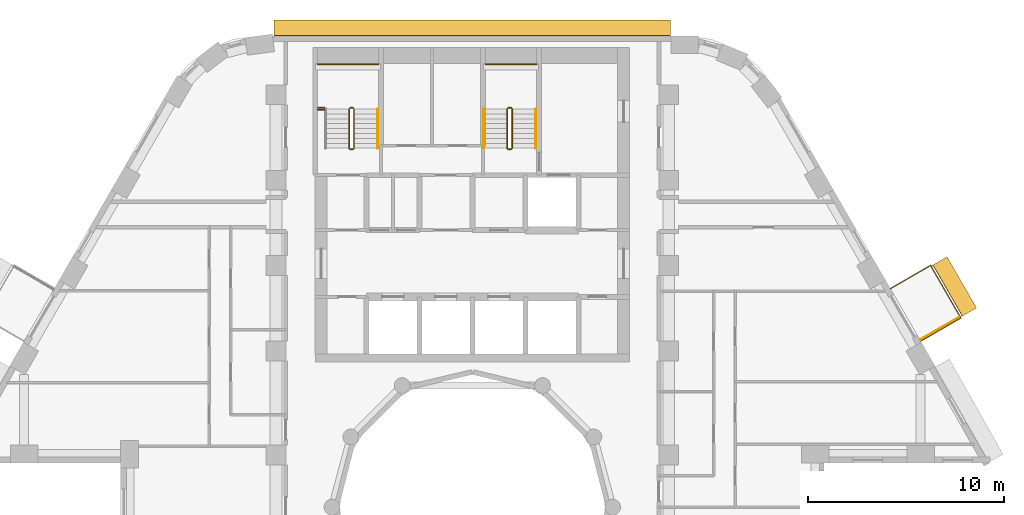
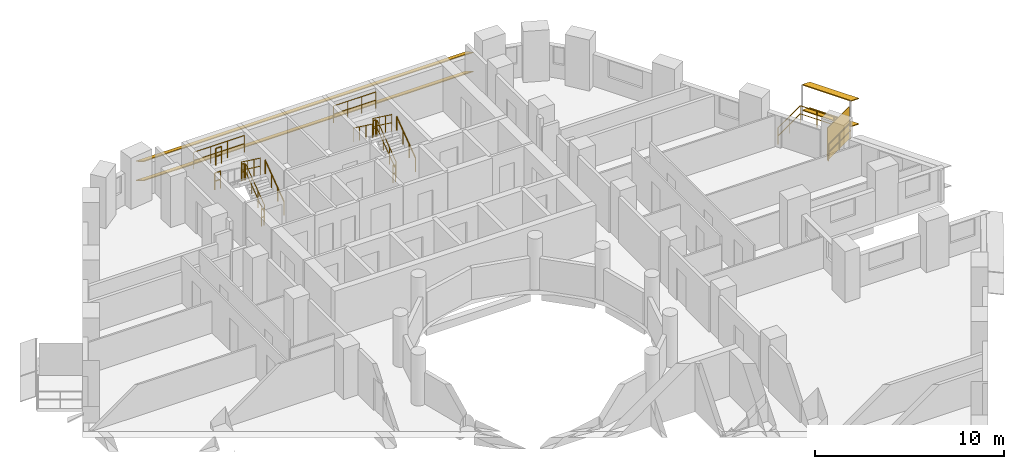
# One storey, part 14 of 14: 16 railings, 5 shading devices.
"""IFC4 building model written with IfcOpenShell, lengths in metres."""

from ifc_helpers import new_model, si_unit, direction, frame, origin, origin_2d, place, context, subcontext, project, spatial, rectangle, circle, extrude, material, layer, layer_set, material_profile, profile_set, type_object, element, save


model = new_model("IFC4")

# Units and contexts
model_context = context("Model", 3, precision=1e-05, world=origin(), true_north=direction((0.0, 1.0)))
body_context = subcontext(model_context, "Body", "Model", "MODEL_VIEW")
ifc_project = project(units=[si_unit("LENGTHUNIT", "METRE"), si_unit("AREAUNIT", "SQUARE_METRE"), si_unit("VOLUMEUNIT", "CUBIC_METRE"), si_unit("PLANEANGLEUNIT", "RADIAN"), si_unit("MASSUNIT", "GRAM", prefix="KILO")], contexts=[model_context])

# Site, building, storey
site_placement = place(None, origin())
site = spatial("IfcSite", under=ifc_project, at=site_placement, CompositionType="ELEMENT")
building_placement = place(site_placement, origin())
building = spatial("IfcBuilding", under=site, at=building_placement, Name="Nakaniwa Court", CompositionType="ELEMENT")
storey_placement = place(building_placement, frame((0.0, 0.0, 117.300048828125)))
storey = spatial("IfcBuildingStorey", under=building, at=storey_placement, Name="L31", CompositionType="ELEMENT", Elevation=117.300048828125)

# Railing
ifc_material_1 = material(Name="Black powder-coated steel flat bar balustrade S275", Category="steel")
railing_type_1 = type_object("IfcRailingType", Name="Black metal balcony guard 1100", PredefinedType="GUARDRAIL", material=ifc_material_1)
railing_1_placement = place(storey_placement, frame((102.83251953125, 88.452880859375, -0.050048828125)))
element("IfcRailing", 1, at=railing_1_placement, inside=storey, type_object=railing_type_1, Name="L31 balcony guard 02", PredefinedType="GUARDRAIL", context=body_context, shape_type="SweptSolid", body=[
    extrude(circle(Radius=0.02392578125, at=origin_2d()), frame((0.0, 0.0, 1.076171875), z_axis=(0.866025363618, 0.50000006957, 0.0), x_axis=(-0.50000006957, 0.866025363618, 0.0)), (0.0, 0.0, 1.0), 2.35986328125),
    extrude(circle(Radius=0.02392578125, at=origin_2d()), frame((0.0, 0.0, 0.550048828125), z_axis=(0.866025363618, 0.50000006957, 0.0), x_axis=(-0.50000006957, 0.866025363618, 0.0)), (0.0, 0.0, 1.0), 2.35986328125),
    extrude(circle(Radius=0.02392578125, at=origin_2d()), frame((2.043701171875, 1.179931640625, 1.076171875), z_axis=(-0.499925626596, 0.866068339032, 0.0), x_axis=(-0.866068339032, -0.499925626596, 0.0)), (0.0, 0.0, 1.0), 3.0859375),
    extrude(circle(Radius=0.02392578125, at=origin_2d()), frame((2.043701171875, 1.179931640625, 0.550048828125), z_axis=(-0.499925626596, 0.866068339032, 0.0), x_axis=(-0.866068339032, -0.499925626596, 0.0)), (0.0, 0.0, 1.0), 3.0859375),
    extrude(circle(Radius=0.02392578125, at=origin_2d()), frame((0.5009765625, 3.8525390625, 1.076171875), z_axis=(-0.866006432019, -0.500032858622, 0.0), x_axis=(0.500032858622, -0.866006432019, 0.0)), (0.0, 0.0, 1.0), 2.360107421875),
    extrude(circle(Radius=0.02392578125, at=origin_2d()), frame((0.5009765625, 3.8525390625, 0.550048828125), z_axis=(-0.866006432019, -0.500032858622, 0.0), x_axis=(0.500032858622, -0.866006432019, 0.0)), (0.0, 0.0, 1.0), 2.360107421875),
    extrude(circle(Radius=0.02099609375, at=origin_2d()), origin(), (0.0, 0.0, 1.0), 1.052001953125),
    extrude(circle(Radius=0.02099609375, at=origin_2d()), frame((1.02197265625, 0.58984375, 0.0)), (0.0, 0.0, 1.0), 1.052001953125),
    extrude(circle(Radius=0.02099609375, at=origin_2d()), frame((2.043701171875, 1.179931640625, 0.0)), (0.0, 0.0, 1.0), 1.052001953125),
    extrude(circle(Radius=0.02099609375, at=origin_2d()), frame((1.529541015625, 2.07080078125, 0.0)), (0.0, 0.0, 1.0), 1.052001953125),
    extrude(circle(Radius=0.02099609375, at=origin_2d()), frame((1.01513671875, 2.961669921875, 0.0)), (0.0, 0.0, 1.0), 1.052001953125),
    extrude(circle(Radius=0.02099609375, at=origin_2d()), frame((0.5009765625, 3.8525390625, 0.0)), (0.0, 0.0, 1.0), 1.052001953125),
    extrude(circle(Radius=0.02099609375, at=origin_2d()), frame((-0.52099609375, 3.262451171875, 0.0)), (0.0, 0.0, 1.0), 1.052001953125),
    extrude(circle(Radius=0.02099609375, at=origin_2d()), frame((-1.54296875, 2.67236328125, 0.0)), (0.0, 0.0, 1.0), 1.052001953125),
])

# Shading devices
ifc_material_2 = material(Name="Black powder-coated aluminium slat screen", Category="aluminium")
ifc_layer = layer(ifc_material_2, 0.0400390625)
ifc_layer_set = layer_set([ifc_layer], Name="Black powder-coated aluminium slat screen")
shading_device_type_1 = type_object("IfcShadingDeviceType", Name="Koshi screen black metal", PredefinedType="USERDEFINED", material=ifc_layer_set)
shading_device_placement = place(storey_placement, frame((103.792724609375, 89.099609375, -0.050048828125), z_axis=(0.0, 0.0, 1.0), x_axis=(-0.499974304289, 0.866040238702, 0.0)))
element("IfcShadingDevice", 2, at=shading_device_placement, inside=storey, type_object=shading_device_type_1, Name="L31 balcony SCREEN 02 W", ObjectType="KOSHI SCREEN", PredefinedType="USERDEFINED", context=body_context, shape_type="SweptSolid", body=[
    extrude(rectangle(XDim=0.0400390625, YDim=2.31005859375, at=origin_2d()), origin(), (0.0, 0.0, 1.0), 2.10009765625),
])
ifc_material_3 = material(Name="Perforated charcoal ceramic louvre blade")
ifc_material_profile = material_profile(ifc_material_3, rectangle(XDim=0.89990234375, YDim=0.050048828125, at=origin_2d()), Name="Perforated ceramic louvre blade")
ifc_profile_set = profile_set([ifc_material_profile], Name="Perforated charcoal ceramic louvre blade")
shading_device_type_2 = type_object("IfcShadingDeviceType", Name="Perforated ceramic louvre blade", PredefinedType="JALOUSIE", material=ifc_profile_set)
for number, where, z_axis, x_axis, name in (
    (3, (105.311279296875, 89.93017578125, 0.5), (-0.499982583329, 0.866035459071, 0.0), (-0.800112435064, -0.46192367535, 0.382683432365), "L31 perforated ceramic louvre blade 02 1"),
    (4, (105.311279296875, 89.93017578125, 2.14990234375), (-0.499982583329, 0.866035459071, 0.0), (-0.800112435064, -0.46192367535, 0.382683432365), "L31 perforated ceramic louvre blade 02 2"),
):
    element("IfcShadingDevice", number, at=place(storey_placement, frame(where, z_axis=z_axis, x_axis=x_axis)), inside=storey, type_object=shading_device_type_2, Name=name, PredefinedType="JALOUSIE", context=body_context, shape_type="SweptSolid", body=[
        extrude(rectangle(XDim=0.89990234375, YDim=0.050048828125, at=origin_2d()), origin(), (0.0, 0.0, 1.0), 3.005859375),
    ])
for number, where, z_axis, x_axis, name in (
    (5, (90.07861328125, 104.402099609375, 0.550048828125), (-1.0, 0.0, 0.0), (0.0, -0.866025403784, 0.5), "L31 perforated ceramic louvre blade w08 1"),
    (6, (90.07861328125, 104.402099609375, 1.793212890625), (-1.0, 0.0, 0.0), (0.0, -0.866025403784, 0.5), "L31 perforated ceramic louvre blade w08 2"),
):
    element("IfcShadingDevice", number, at=place(storey_placement, frame(where, z_axis=z_axis, x_axis=x_axis)), inside=storey, type_object=shading_device_type_2, Name=name, PredefinedType="JALOUSIE", context=body_context, shape_type="SweptSolid", body=[
        extrude(rectangle(XDim=0.89990234375, YDim=0.050048828125, at=origin_2d()), origin(), (0.0, 0.0, 1.0), 20.19091796875),
    ])

# Railings
ifc_material_4 = material(Name="Black powder coated steel guard", Category="steel")
railing_type_2 = type_object("IfcRailingType", Name="Stair guard 1100", PredefinedType="GUARDRAIL", material=ifc_material_4)
railing_2_placement = place(storey_placement, frame((73.97509765625, 98.27490234375, 0.183349609375)))
element("IfcRailing", 7, at=railing_2_placement, inside=storey, type_object=railing_type_2, Name="L31 ST1 stair guard 1", PredefinedType="GUARDRAIL", context=body_context, shape_type="SweptSolid", body=[
    extrude(circle(Radius=0.02392578125, at=origin_2d()), frame((0.0, 0.0, 1.076171875), z_axis=(0.0, 0.806426902644, 0.591333789573), x_axis=(-1.0, 0.0, 0.0)), (0.0, 0.0, 1.0), 2.47998046875),
    extrude(circle(Radius=0.02392578125, at=origin_2d()), frame((0.0, 0.0, 0.550048828125), z_axis=(0.0, 0.806426902644, 0.591333789573), x_axis=(-1.0, 0.0, 0.0)), (0.0, 0.0, 1.0), 2.47998046875),
    extrude(circle(Radius=0.02099609375, at=origin_2d()), origin(), (0.0, 0.0, 1.0), 1.052001953125),
    extrude(circle(Radius=0.02099609375, at=origin_2d()), frame((0.0, 0.666748046875, 0.48876953125)), (0.0, 0.0, 1.0), 1.052001953125),
    extrude(circle(Radius=0.02099609375, at=origin_2d()), frame((0.0, 1.333251953125, 0.977783203125)), (0.0, 0.0, 1.0), 1.052001953125),
    extrude(circle(Radius=0.02099609375, at=origin_2d()), frame((0.0, 2.0, 1.466552734375)), (0.0, 0.0, 1.0), 1.052001953125),
])
railing_3_placement = place(storey_placement, frame((73.925048828125, 100.324951171875, 1.64990234375)))
element("IfcRailing", 8, at=railing_3_placement, inside=storey, type_object=railing_type_2, Name="L31 ST1 stair guard 2", PredefinedType="GUARDRAIL", context=body_context, shape_type="SweptSolid", body=[
    extrude(circle(Radius=0.02392578125, at=origin_2d()), frame((0.0, 0.0, 1.076171875), z_axis=(-1.0, 0.0, 0.0), x_axis=(0.0, -1.0, 0.0)), (0.0, 0.0, 1.0), 0.150146484375),
    extrude(circle(Radius=0.02392578125, at=origin_2d()), frame((0.0, 0.0, 0.550048828125), z_axis=(-1.0, 0.0, 0.0), x_axis=(0.0, -1.0, 0.0)), (0.0, 0.0, 1.0), 0.150146484375),
    extrude(circle(Radius=0.02099609375, at=origin_2d()), origin(), (0.0, 0.0, 1.0), 1.052001953125),
    extrude(circle(Radius=0.02099609375, at=origin_2d()), frame((-0.150146484375, 0.0, 0.0)), (0.0, 0.0, 1.0), 1.052001953125),
])
railing_4_placement = place(storey_placement, frame((73.72509765625, 100.27490234375, 1.833251953125)))
element("IfcRailing", 9, at=railing_4_placement, inside=storey, type_object=railing_type_2, Name="L31 ST1 stair guard 3", PredefinedType="GUARDRAIL", context=body_context, shape_type="SweptSolid", body=[
    extrude(circle(Radius=0.02392578125, at=origin_2d()), frame((0.0, 0.0, 1.076171875), z_axis=(0.0, -0.806379959628, 0.591397802423), x_axis=(1.0, 0.0, 0.0)), (0.0, 0.0, 1.0), 2.480224609375),
    extrude(circle(Radius=0.02392578125, at=origin_2d()), frame((0.0, 0.0, 0.550048828125), z_axis=(0.0, -0.806379959628, 0.591397802423), x_axis=(1.0, 0.0, 0.0)), (0.0, 0.0, 1.0), 2.480224609375),
    extrude(circle(Radius=0.02099609375, at=origin_2d()), origin(), (0.0, 0.0, 1.0), 1.052001953125),
    extrude(circle(Radius=0.02099609375, at=origin_2d()), frame((0.0, -0.666748046875, 0.489013671875)), (0.0, 0.0, 1.0), 1.052001953125),
    extrude(circle(Radius=0.02099609375, at=origin_2d()), frame((0.0, -1.333251953125, 0.977783203125)), (0.0, 0.0, 1.0), 1.052001953125),
    extrude(circle(Radius=0.02099609375, at=origin_2d()), frame((0.0, -2.0, 1.466796875)), (0.0, 0.0, 1.0), 1.052001953125),
])
railing_5_placement = place(storey_placement, frame((73.925048828125, 98.22509765625, 0.0)))
element("IfcRailing", 10, at=railing_5_placement, inside=storey, type_object=railing_type_2, Name="L31 ST1 stair guard 4", PredefinedType="GUARDRAIL", context=body_context, shape_type="SweptSolid", body=[
    extrude(circle(Radius=0.02392578125, at=origin_2d()), frame((0.0, 0.0, 1.076171875), z_axis=(-1.0, 0.0, 0.0), x_axis=(0.0, -1.0, 0.0)), (0.0, 0.0, 1.0), 0.150146484375),
    extrude(circle(Radius=0.02392578125, at=origin_2d()), frame((0.0, 0.0, 0.550048828125), z_axis=(-1.0, 0.0, 0.0), x_axis=(0.0, -1.0, 0.0)), (0.0, 0.0, 1.0), 0.150146484375),
    extrude(circle(Radius=0.02099609375, at=origin_2d()), origin(), (0.0, 0.0, 1.0), 1.052001953125),
    extrude(circle(Radius=0.02099609375, at=origin_2d()), frame((-0.150146484375, 0.0, 0.0)), (0.0, 0.0, 1.0), 1.052001953125),
])
railing_6_placement = place(storey_placement, frame((72.125, 102.550048828125, 1.64990234375)))
element("IfcRailing", 11, at=railing_6_placement, inside=storey, type_object=railing_type_2, Name="L31 ST1 landing end guard 1", PredefinedType="GUARDRAIL", context=body_context, shape_type="SweptSolid", body=[
    extrude(circle(Radius=0.02392578125, at=origin_2d()), frame((0.0, 0.0, 1.076171875), z_axis=(1.0, 0.0, 0.0), x_axis=(0.0, 1.0, 0.0)), (0.0, 0.0, 1.0), 3.10009765625),
    extrude(circle(Radius=0.02392578125, at=origin_2d()), frame((0.0, 0.0, 0.550048828125), z_axis=(1.0, 0.0, 0.0), x_axis=(0.0, 1.0, 0.0)), (0.0, 0.0, 1.0), 3.10009765625),
    extrude(circle(Radius=0.02099609375, at=origin_2d()), origin(), (0.0, 0.0, 1.0), 1.052001953125),
    extrude(circle(Radius=0.02099609375, at=origin_2d()), frame((1.033447265625, 0.0, 0.0)), (0.0, 0.0, 1.0), 1.052001953125),
    extrude(circle(Radius=0.02099609375, at=origin_2d()), frame((2.066650390625, 0.0, 0.0)), (0.0, 0.0, 1.0), 1.052001953125),
    extrude(circle(Radius=0.02099609375, at=origin_2d()), frame((3.10009765625, 0.0, 0.0)), (0.0, 0.0, 1.0), 1.052001953125),
])
for number, where, name in (
    (12, (72.125, 100.324951171875, 1.64990234375), "L31 ST1 landing side guard 1W"),
    (13, (72.125, 100.22509765625, 3.300048828125), "L31 ST1 floor edge guard 1W"),
):
    element("IfcRailing", number, at=place(storey_placement, frame(where)), inside=storey, type_object=railing_type_2, Name=name, PredefinedType="GUARDRAIL", context=body_context, shape_type="SweptSolid", body=[
        extrude(circle(Radius=0.02392578125, at=origin_2d()), frame((0.0, 0.0, 1.076171875), z_axis=(1.0, 0.0, 0.0), x_axis=(0.0, 1.0, 0.0)), (0.0, 0.0, 1.0), 0.35009765625),
        extrude(circle(Radius=0.02392578125, at=origin_2d()), frame((0.0, 0.0, 0.550048828125), z_axis=(1.0, 0.0, 0.0), x_axis=(0.0, 1.0, 0.0)), (0.0, 0.0, 1.0), 0.35009765625),
        extrude(circle(Radius=0.02099609375, at=origin_2d()), origin(), (0.0, 0.0, 1.0), 1.052001953125),
        extrude(circle(Radius=0.02099609375, at=origin_2d()), frame((0.35009765625, 0.0, 0.0)), (0.0, 0.0, 1.0), 1.052001953125),
    ])
railing_7_placement = place(storey_placement, frame((82.02490234375, 98.27490234375, 0.183349609375)))
element("IfcRailing", 14, at=railing_7_placement, inside=storey, type_object=railing_type_2, Name="L31 ST2 stair guard 1", PredefinedType="GUARDRAIL", context=body_context, shape_type="SweptSolid", body=[
    extrude(circle(Radius=0.02392578125, at=origin_2d()), frame((0.0, 0.0, 1.076171875), z_axis=(0.0, 0.806426902644, 0.591333789573), x_axis=(-1.0, 0.0, 0.0)), (0.0, 0.0, 1.0), 2.47998046875),
    extrude(circle(Radius=0.02392578125, at=origin_2d()), frame((0.0, 0.0, 0.550048828125), z_axis=(0.0, 0.806426902644, 0.591333789573), x_axis=(-1.0, 0.0, 0.0)), (0.0, 0.0, 1.0), 2.47998046875),
    extrude(circle(Radius=0.02099609375, at=origin_2d()), origin(), (0.0, 0.0, 1.0), 1.052001953125),
    extrude(circle(Radius=0.02099609375, at=origin_2d()), frame((0.0, 0.666748046875, 0.48876953125)), (0.0, 0.0, 1.0), 1.052001953125),
    extrude(circle(Radius=0.02099609375, at=origin_2d()), frame((0.0, 1.333251953125, 0.977783203125)), (0.0, 0.0, 1.0), 1.052001953125),
    extrude(circle(Radius=0.02099609375, at=origin_2d()), frame((0.0, 2.0, 1.466552734375)), (0.0, 0.0, 1.0), 1.052001953125),
])
railing_8_placement = place(storey_placement, frame((81.97509765625, 100.324951171875, 1.64990234375)))
element("IfcRailing", 15, at=railing_8_placement, inside=storey, type_object=railing_type_2, Name="L31 ST2 stair guard 2", PredefinedType="GUARDRAIL", context=body_context, shape_type="SweptSolid", body=[
    extrude(circle(Radius=0.02392578125, at=origin_2d()), frame((0.0, 0.0, 1.076171875), z_axis=(-1.0, 0.0, 0.0), x_axis=(0.0, -1.0, 0.0)), (0.0, 0.0, 1.0), 0.150146484375),
    extrude(circle(Radius=0.02392578125, at=origin_2d()), frame((0.0, 0.0, 0.550048828125), z_axis=(-1.0, 0.0, 0.0), x_axis=(0.0, -1.0, 0.0)), (0.0, 0.0, 1.0), 0.150146484375),
    extrude(circle(Radius=0.02099609375, at=origin_2d()), origin(), (0.0, 0.0, 1.0), 1.052001953125),
    extrude(circle(Radius=0.02099609375, at=origin_2d()), frame((-0.150146484375, 0.0, 0.0)), (0.0, 0.0, 1.0), 1.052001953125),
])
railing_9_placement = place(storey_placement, frame((81.77490234375, 100.27490234375, 1.833251953125)))
element("IfcRailing", 16, at=railing_9_placement, inside=storey, type_object=railing_type_2, Name="L31 ST2 stair guard 3", PredefinedType="GUARDRAIL", context=body_context, shape_type="SweptSolid", body=[
    extrude(circle(Radius=0.02392578125, at=origin_2d()), frame((0.0, 0.0, 1.076171875), z_axis=(0.0, -0.806379959628, 0.591397802423), x_axis=(1.0, 0.0, 0.0)), (0.0, 0.0, 1.0), 2.480224609375),
    extrude(circle(Radius=0.02392578125, at=origin_2d()), frame((0.0, 0.0, 0.550048828125), z_axis=(0.0, -0.806379959628, 0.591397802423), x_axis=(1.0, 0.0, 0.0)), (0.0, 0.0, 1.0), 2.480224609375),
    extrude(circle(Radius=0.02099609375, at=origin_2d()), origin(), (0.0, 0.0, 1.0), 1.052001953125),
    extrude(circle(Radius=0.02099609375, at=origin_2d()), frame((0.0, -0.666748046875, 0.489013671875)), (0.0, 0.0, 1.0), 1.052001953125),
    extrude(circle(Radius=0.02099609375, at=origin_2d()), frame((0.0, -1.333251953125, 0.977783203125)), (0.0, 0.0, 1.0), 1.052001953125),
    extrude(circle(Radius=0.02099609375, at=origin_2d()), frame((0.0, -2.0, 1.466796875)), (0.0, 0.0, 1.0), 1.052001953125),
])
railing_10_placement = place(storey_placement, frame((81.97509765625, 98.22509765625, 0.0)))
element("IfcRailing", 17, at=railing_10_placement, inside=storey, type_object=railing_type_2, Name="L31 ST2 stair guard 4", PredefinedType="GUARDRAIL", context=body_context, shape_type="SweptSolid", body=[
    extrude(circle(Radius=0.02392578125, at=origin_2d()), frame((0.0, 0.0, 1.076171875), z_axis=(-1.0, 0.0, 0.0), x_axis=(0.0, -1.0, 0.0)), (0.0, 0.0, 1.0), 0.150146484375),
    extrude(circle(Radius=0.02392578125, at=origin_2d()), frame((0.0, 0.0, 0.550048828125), z_axis=(-1.0, 0.0, 0.0), x_axis=(0.0, -1.0, 0.0)), (0.0, 0.0, 1.0), 0.150146484375),
    extrude(circle(Radius=0.02099609375, at=origin_2d()), origin(), (0.0, 0.0, 1.0), 1.052001953125),
    extrude(circle(Radius=0.02099609375, at=origin_2d()), frame((-0.150146484375, 0.0, 0.0)), (0.0, 0.0, 1.0), 1.052001953125),
])
railing_11_placement = place(storey_placement, frame((80.675048828125, 102.550048828125, 1.64990234375)))
element("IfcRailing", 18, at=railing_11_placement, inside=storey, type_object=railing_type_2, Name="L31 ST2 landing end guard 1", PredefinedType="GUARDRAIL", context=body_context, shape_type="SweptSolid", body=[
    extrude(circle(Radius=0.02392578125, at=origin_2d()), frame((0.0, 0.0, 1.076171875), z_axis=(1.0, 0.0, 0.0), x_axis=(0.0, 1.0, 0.0)), (0.0, 0.0, 1.0), 2.599853515625),
    extrude(circle(Radius=0.02392578125, at=origin_2d()), frame((0.0, 0.0, 0.550048828125), z_axis=(1.0, 0.0, 0.0), x_axis=(0.0, 1.0, 0.0)), (0.0, 0.0, 1.0), 2.599853515625),
    extrude(circle(Radius=0.02099609375, at=origin_2d()), origin(), (0.0, 0.0, 1.0), 1.052001953125),
    extrude(circle(Radius=0.02099609375, at=origin_2d()), frame((0.86669921875, 0.0, 0.0)), (0.0, 0.0, 1.0), 1.052001953125),
    extrude(circle(Radius=0.02099609375, at=origin_2d()), frame((1.733154296875, 0.0, 0.0)), (0.0, 0.0, 1.0), 1.052001953125),
    extrude(circle(Radius=0.02099609375, at=origin_2d()), frame((2.599853515625, 0.0, 0.0)), (0.0, 0.0, 1.0), 1.052001953125),
])
ifc_material_5 = material(Name="Black powder coated steel handrail", Category="steel")
railing_type_3 = type_object("IfcRailingType", Name="Stair handrail 900", PredefinedType="HANDRAIL", material=ifc_material_5)
for number, where, name in (
    (19, (75.175048828125, 98.27490234375, 0.183349609375), "L31 ST1 stair handrail 1"),
    (20, (83.22509765625, 98.27490234375, 0.183349609375), "L31 ST2 stair handrail 1"),
):
    element("IfcRailing", number, at=place(storey_placement, frame(where)), inside=storey, type_object=railing_type_3, Name=name, PredefinedType="HANDRAIL", context=body_context, shape_type="SweptSolid", body=[
        extrude(circle(Radius=0.02392578125, at=origin_2d()), frame((0.0, 0.0, 0.8759765625), z_axis=(0.0, 0.806426902644, 0.591333789573), x_axis=(-1.0, 0.0, 0.0)), (0.0, 0.0, 1.0), 2.47998046875),
        extrude(circle(Radius=0.02099609375, at=origin_2d()), origin(), (0.0, 0.0, 1.0), 0.851806640625),
        extrude(circle(Radius=0.02099609375, at=origin_2d()), frame((0.0, 0.666748046875, 0.48876953125)), (0.0, 0.0, 1.0), 0.851806640625),
        extrude(circle(Radius=0.02099609375, at=origin_2d()), frame((0.0, 1.333251953125, 0.977783203125)), (0.0, 0.0, 1.0), 0.851806640625),
        extrude(circle(Radius=0.02099609375, at=origin_2d()), frame((0.0, 2.0, 1.466552734375)), (0.0, 0.0, 1.0), 0.851806640625),
    ])
railing_12_placement = place(storey_placement, frame((80.574951171875, 100.27490234375, 1.833251953125)))
element("IfcRailing", 21, at=railing_12_placement, inside=storey, type_object=railing_type_3, Name="L31 ST2 stair handrail 2", PredefinedType="HANDRAIL", context=body_context, shape_type="SweptSolid", body=[
    extrude(circle(Radius=0.02392578125, at=origin_2d()), frame((0.0, 0.0, 0.8759765625), z_axis=(0.0, -0.806379959628, 0.591397802423), x_axis=(1.0, 0.0, 0.0)), (0.0, 0.0, 1.0), 2.480224609375),
    extrude(circle(Radius=0.02099609375, at=origin_2d()), origin(), (0.0, 0.0, 1.0), 0.851806640625),
    extrude(circle(Radius=0.02099609375, at=origin_2d()), frame((0.0, -0.666748046875, 0.489013671875)), (0.0, 0.0, 1.0), 0.851806640625),
    extrude(circle(Radius=0.02099609375, at=origin_2d()), frame((0.0, -1.333251953125, 0.977783203125)), (0.0, 0.0, 1.0), 0.851806640625),
    extrude(circle(Radius=0.02099609375, at=origin_2d()), frame((0.0, -2.0, 1.466796875)), (0.0, 0.0, 1.0), 0.851806640625),
])

save(model, "model.ifc")
